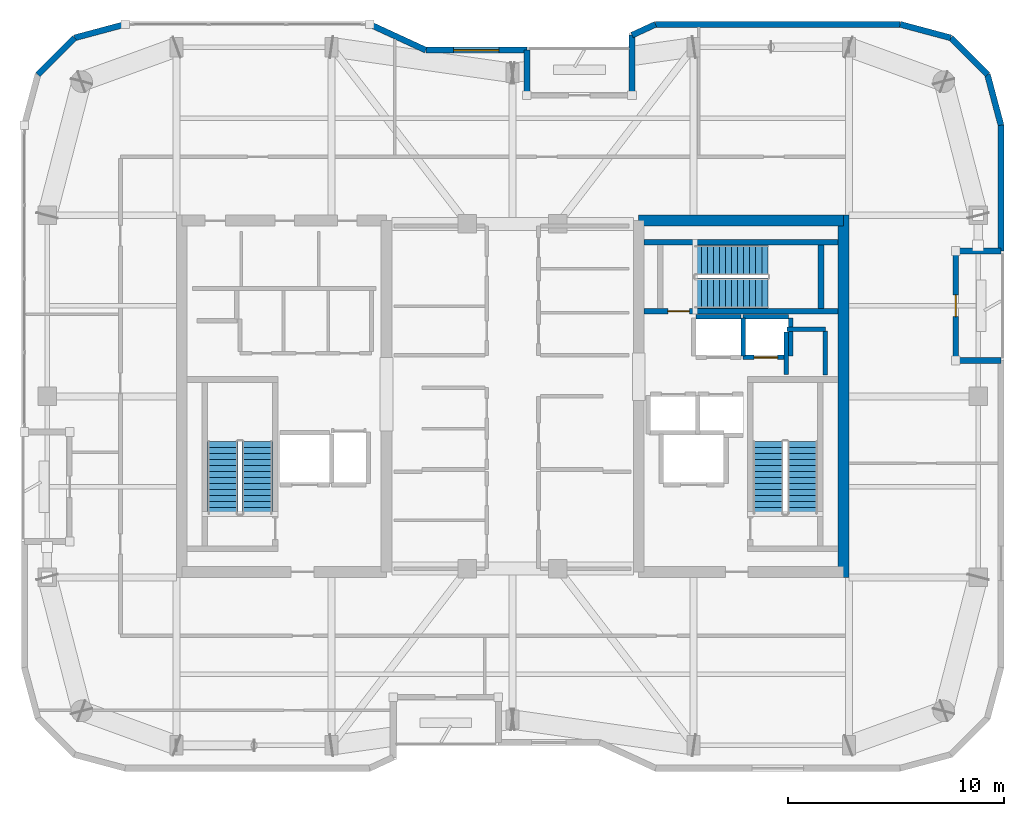
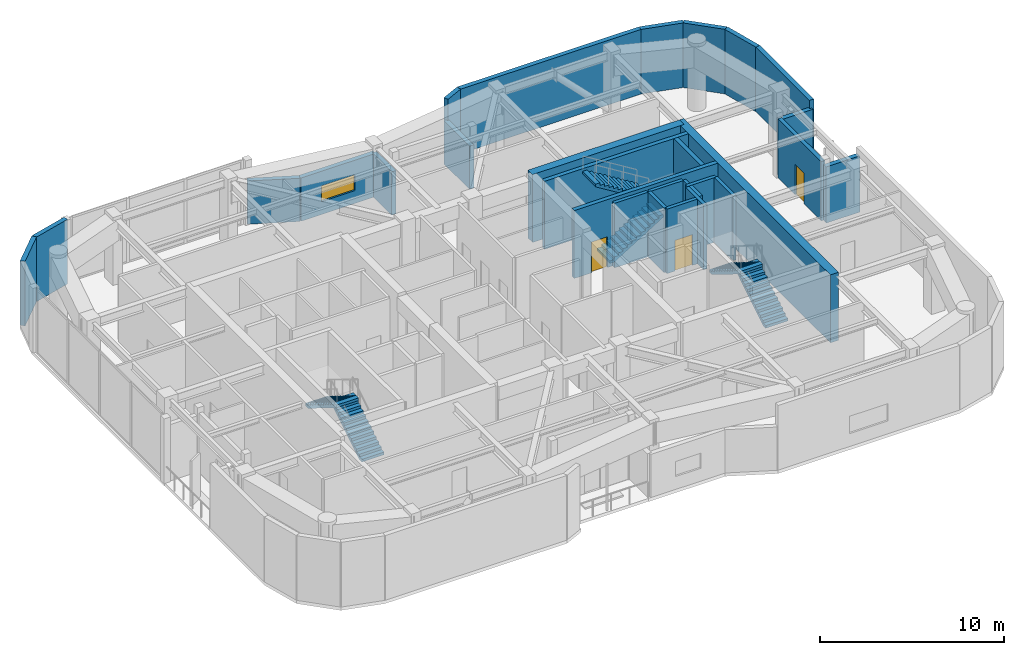
# One storey, part 13 of 15: 28 walls, 6 stair flights, 3 doors, 1 window, 4 openings, 3 elements without a shape of their own.
"""IFC4 building model written with IfcOpenShell, lengths in metres."""

from ifc_helpers import new_model, si_unit, direction, frame, frame_2d, origin, place, context, subcontext, project, spatial, polyline, rectangle, outline, extrude, material, layer, layer_set, type_object, element, fill, aggregate, save


model = new_model("IFC4")

# Units and contexts
model_context = context("Model", 3, precision=1e-05, world=origin(), true_north=direction((0.0, 1.0)))
body_context = subcontext(model_context, "Body", "Model", "MODEL_VIEW")
ifc_project = project(units=[si_unit("LENGTHUNIT", "METRE"), si_unit("AREAUNIT", "SQUARE_METRE"), si_unit("VOLUMEUNIT", "CUBIC_METRE"), si_unit("PLANEANGLEUNIT", "RADIAN"), si_unit("MASSUNIT", "GRAM", prefix="KILO")], contexts=[model_context])

# Site, building, storey
site_placement = place(None, origin())
site = spatial("IfcSite", under=ifc_project, at=site_placement, CompositionType="ELEMENT")
building_placement = place(site_placement, origin())
building = spatial("IfcBuilding", under=site, at=building_placement, Name="Kiyonajd Concourse Tower", CompositionType="ELEMENT")
storey_placement = place(building_placement, frame((0.0, 0.0, 342.0)))
storey = spatial("IfcBuildingStorey", under=building, at=storey_placement, Name="L86", CompositionType="ELEMENT", Elevation=342.0)

# Walls
ifc_material_1 = material(Name="Concrete C60/75", Category="concrete")
ifc_layer_1 = layer(ifc_material_1, 0.5)
ifc_layer_set_1 = layer_set([ifc_layer_1], Name="Concrete C60/75")
wall_type_1 = type_object("IfcWallType", Name="WL-CORE-500", PredefinedType="SHEAR", material=ifc_layer_set_1)
wall_1_placement = place(storey_placement, frame((63.35009765625, 27.60009765625, 0.0), z_axis=(0.0, 0.0, 1.0), x_axis=(0.0, 1.0, 0.0)))
element("IfcWall", 1, at=wall_1_placement, inside=storey, type_object=wall_type_1, Name="L86 East Core Outer Shear Wall", PredefinedType="SHEAR", context=body_context, shape_type="SweptSolid", body=[
    extrude(rectangle(XDim=16.7998046875, YDim=0.5, at=frame_2d((8.39990234375, 0.0))), origin(), (0.0, 0.0, 1.0), 4.5),
])
wall_2_placement = place(storey_placement, frame((53.85009765625, 44.14990234375, 0.0), z_axis=(0.0, 0.0, 1.0), x_axis=(1.0, 0.0, 0.0)))
element("IfcWall", 2, at=wall_2_placement, inside=storey, type_object=wall_type_1, Name="L86 East Core North Shear Wall", PredefinedType="SHEAR", context=body_context, shape_type="SweptSolid", body=[
    extrude(rectangle(XDim=9.5, YDim=0.5, at=frame_2d((4.75, 0.0))), origin(), (0.0, 0.0, 1.0), 4.5),
])
ifc_material_2 = material(Name="Precast concrete C50/60", Category="concrete")
ifc_layer_2 = layer(ifc_material_2, 0.280029296875)
ifc_layer_set_2 = layer_set([ifc_layer_2], Name="Precast concrete C50/60")
wall_type_2 = type_object("IfcWallType", Name="WL-EXT-280", PredefinedType="SOLIDWALL", material=ifc_layer_set_2)
wall_3_placement = place(storey_placement, frame((25.968505859375, 50.927490234375, 0.0), z_axis=(0.0, 0.0, 1.0), x_axis=(0.707106781187, 0.707106781187, 0.0)))
element("IfcWall", 3, at=wall_3_placement, inside=storey, type_object=wall_type_2, Name="L86 Exterior Concrete Frame Wall 07", PredefinedType="SOLIDWALL", context=body_context, shape_type="SweptSolid", body=[
    extrude(rectangle(XDim=2.409912109375, YDim=0.280029296875, at=frame_2d((1.205078125, 0.0))), origin(), (0.0, 0.0, 1.0), 4.280029296875),
])
wall_4_placement = place(storey_placement, frame((27.672607421875, 52.631591796875, 0.0), z_axis=(0.0, 0.0, 1.0), x_axis=(0.965937282298, 0.25877628691, 0.0)))
element("IfcWall", 4, at=wall_4_placement, inside=storey, type_object=wall_type_2, Name="L86 Exterior Concrete Frame Wall 08", PredefinedType="SOLIDWALL", context=body_context, shape_type="SweptSolid", body=[
    extrude(rectangle(XDim=2.428466796875, YDim=0.280029296875, at=frame_2d((1.21435546875, 0.0))), origin(), (0.0, 0.0, 1.0), 4.280029296875),
])
wall_5_placement = place(storey_placement, frame((41.369384765625, 53.260009765625, 0.0), z_axis=(0.0, 0.0, 1.0), x_axis=(0.907956889006, -0.419063584324, 0.0)))
element("IfcWall", 5, at=wall_5_placement, inside=storey, type_object=wall_type_2, Name="L86 Exterior Concrete Frame Wall 10", PredefinedType="SOLIDWALL", context=body_context, shape_type="SweptSolid", body=[
    extrude(rectangle(XDim=2.863525390625, YDim=0.280029296875, at=frame_2d((1.431640625, 0.0))), origin(), (0.0, 0.0, 1.0), 2.864990234375),
])

# Wall, opening, window
wall_6_placement = place(storey_placement, frame((43.96923828125, 52.06005859375, 0.0), z_axis=(0.0, 0.0, 1.0), x_axis=(1.0, 0.0, 0.0)))
wall_6 = element("IfcWall", 6, at=wall_6_placement, inside=storey, type_object=wall_type_2, Name="L86 Exterior Concrete Frame Wall 11", PredefinedType="SOLIDWALL", context=body_context, shape_type="SweptSolid", body=[
    extrude(rectangle(XDim=4.690673828125, YDim=0.280029296875, at=frame_2d((2.34521484375, 0.0))), origin(), (0.0, 0.0, 1.0), 2.864990234375),
])
opening_1_placement = place(wall_6_placement, frame((1.294921875, 0.0, 0.85009765625)))
opening_1 = element("IfcOpeningElement", 7, at=opening_1_placement, cuts=wall_6, Name="Opening WN5", PredefinedType="OPENING", context=body_context, shape_type="SweptSolid", body=[
    extrude(rectangle(XDim=2.10009765625, YDim=1.050048828125, at=frame_2d((1.050048828125, 0.52490234375))), frame((0.0, 0.14990234375, 0.0), z_axis=(0.0, -1.0, 0.0), x_axis=(1.0, 0.0, 0.0)), (0.0, 0.0, 1.0), 0.300048828125),
])
ifc_material_3 = material(Name="Double Low-E Insulated Glass", Category="glass")
window_type = type_object("IfcWindowType", Name="WN-VIS-2100x1050", PartitioningType="SINGLE_PANEL", PredefinedType="WINDOW", material=ifc_material_3)
window_placement = place(opening_1_placement, origin())
window = element("IfcWindow", 8, at=window_placement, inside=storey, type_object=window_type, Name="L86 Modular Facade Vision Window 11", OverallHeight=1.050048828125, OverallWidth=2.10009765625, PartitioningType="SINGLE_PANEL", PredefinedType="WINDOW", context=body_context, shape_type="SweptSolid", body=[
    extrude(rectangle(XDim=2.10009765625, YDim=1.050048828125, at=frame_2d((1.050048828125, 0.52490234375))), frame((0.0, 0.030029296875, 0.0), z_axis=(0.0, -1.0, 0.0), x_axis=(1.0, 0.0, 0.0)), (0.0, 0.0, 1.0), 0.06005859375),
])
fill(opening_1, window)

# Walls
wall_7_placement = place(storey_placement, frame((48.659912109375, 52.06005859375, 0.0), z_axis=(0.0, 0.0, 1.0), x_axis=(0.0, -1.0, 0.0)))
element("IfcWall", 9, at=wall_7_placement, inside=storey, type_object=wall_type_2, Name="L86 Exterior Concrete Frame Wall 12", PredefinedType="SOLIDWALL", context=body_context, shape_type="SweptSolid", body=[
    extrude(rectangle(XDim=2.10009765625, YDim=0.280029296875, at=frame_2d((1.050048828125, 0.0))), origin(), (0.0, 0.0, 1.0), 2.864990234375),
])
wall_8_placement = place(storey_placement, frame((53.5400390625, 49.9599609375, 0.0), z_axis=(0.0, 0.0, 1.0), x_axis=(0.0, 1.0, 0.0)))
element("IfcWall", 10, at=wall_8_placement, inside=storey, type_object=wall_type_2, Name="L86 Exterior Concrete Frame Wall 14", PredefinedType="SOLIDWALL", context=body_context, shape_type="SweptSolid", body=[
    extrude(rectangle(XDim=2.79638671875, YDim=0.280029296875, at=frame_2d((1.398193359375, 0.0))), origin(), (0.0, 0.0, 1.0), 2.864990234375),
])
wall_9_placement = place(storey_placement, frame((53.5400390625, 52.75634765625, 0.0), z_axis=(0.0, 0.0, 1.0), x_axis=(0.907893953211, 0.419199916176, 0.0)))
element("IfcWall", 11, at=wall_9_placement, inside=storey, type_object=wall_type_2, Name="L86 Exterior Concrete Frame Wall 15", PredefinedType="SOLIDWALL", context=body_context, shape_type="SweptSolid", body=[
    extrude(rectangle(XDim=1.201416015625, YDim=0.280029296875, at=frame_2d((0.6005859375, 0.0))), origin(), (0.0, 0.0, 1.0), 4.280029296875),
])
wall_10_placement = place(storey_placement, frame((54.630859375, 53.260009765625, 0.0), z_axis=(0.0, 0.0, 1.0), x_axis=(1.0, 0.0, 0.0)))
element("IfcWall", 12, at=wall_10_placement, inside=storey, type_object=wall_type_2, Name="L86 Exterior Concrete Frame Wall 16", PredefinedType="SOLIDWALL", context=body_context, shape_type="SweptSolid", body=[
    extrude(rectangle(XDim=11.350830078125, YDim=0.280029296875, at=frame_2d((5.67529296875, 0.0))), origin(), (0.0, 0.0, 1.0), 4.280029296875),
])
wall_11_placement = place(storey_placement, frame((65.981689453125, 53.260009765625, 0.0), z_axis=(0.0, 0.0, 1.0), x_axis=(0.965937282298, -0.25877628691, 0.0)))
element("IfcWall", 13, at=wall_11_placement, inside=storey, type_object=wall_type_2, Name="L86 Exterior Concrete Frame Wall 17", PredefinedType="SOLIDWALL", context=body_context, shape_type="SweptSolid", body=[
    extrude(rectangle(XDim=2.428466796875, YDim=0.280029296875, at=frame_2d((1.21435546875, 0.0))), origin(), (0.0, 0.0, 1.0), 4.280029296875),
])
wall_12_placement = place(storey_placement, frame((68.327392578125, 52.631591796875, 0.0), z_axis=(0.0, 0.0, 1.0), x_axis=(0.707106781187, -0.707106781187, 0.0)))
element("IfcWall", 14, at=wall_12_placement, inside=storey, type_object=wall_type_2, Name="L86 Exterior Concrete Frame Wall 18", PredefinedType="SOLIDWALL", context=body_context, shape_type="SweptSolid", body=[
    extrude(rectangle(XDim=2.409912109375, YDim=0.280029296875, at=frame_2d((1.205078125, 0.0))), origin(), (0.0, 0.0, 1.0), 4.280029296875),
])
wall_13_placement = place(storey_placement, frame((70.031494140625, 50.927490234375, 0.0), z_axis=(0.0, 0.0, 1.0), x_axis=(0.258751159445, -0.965944013639, 0.0)))
element("IfcWall", 15, at=wall_13_placement, inside=storey, type_object=wall_type_2, Name="L86 Exterior Concrete Frame Wall 19", PredefinedType="SOLIDWALL", context=body_context, shape_type="SweptSolid", body=[
    extrude(rectangle(XDim=2.4287109375, YDim=0.280029296875, at=frame_2d((1.21435546875, 0.0))), origin(), (0.0, 0.0, 1.0), 4.280029296875),
])
wall_14_placement = place(storey_placement, frame((70.659912109375, 48.58154296875, 0.0), z_axis=(0.0, 0.0, 1.0), x_axis=(0.0, -1.0, 0.0)))
element("IfcWall", 16, at=wall_14_placement, inside=storey, type_object=wall_type_2, Name="L86 Exterior Concrete Frame Wall 20", PredefinedType="SOLIDWALL", context=body_context, shape_type="SweptSolid", body=[
    extrude(rectangle(XDim=5.841552734375, YDim=0.280029296875, at=frame_2d((2.9208984375, 0.0))), origin(), (0.0, 0.0, 1.0), 4.280029296875),
])
for number, where, z_axis, x_axis, name in (
    (17, (70.659912109375, 42.739990234375, 0.0), (0.0, 0.0, 1.0), (-1.0, 0.0, 0.0), "L86 Exterior Concrete Frame Wall 21"),
    (18, (68.56005859375, 37.659912109375, 0.0), (0.0, 0.0, 1.0), (1.0, 0.0, 0.0), "L86 Exterior Concrete Frame Wall 23"),
):
    element("IfcWall", number, at=place(storey_placement, frame(where, z_axis=z_axis, x_axis=x_axis)), inside=storey, type_object=wall_type_2, Name=name, PredefinedType="SOLIDWALL", context=body_context, shape_type="SweptSolid", body=[
        extrude(rectangle(XDim=2.099853515625, YDim=0.280029296875, at=frame_2d((1.0498046875, 0.0))), origin(), (0.0, 0.0, 1.0), 3.72607421875),
    ])

# Wall, opening, door
ifc_layer_3 = layer(ifc_material_2, 0.239990234375)
ifc_layer_set_3 = layer_set([ifc_layer_3], Name="Precast concrete C50/60")
wall_type_3 = type_object("IfcWallType", Name="WL-LOG-240", PredefinedType="SOLIDWALL", material=ifc_layer_set_3)
wall_15_placement = place(storey_placement, frame((68.56005859375, 42.544921875, 0.0), z_axis=(0.0, 0.0, 1.0), x_axis=(0.0, -1.0, 0.0)))
wall_15 = element("IfcWall", 19, at=wall_15_placement, inside=storey, type_object=wall_type_3, Name="L86 Recessed Loggia Thermal Wall LOG-E", PredefinedType="SOLIDWALL", context=body_context, shape_type="SweptSolid", body=[
    extrude(rectangle(XDim=4.68994140625, YDim=0.239990234375, at=frame_2d((2.344970703125, 0.0))), origin(), (0.0, 0.0, 1.0), 3.910888671875),
])
opening_2_placement = place(wall_15_placement, frame((1.844970703125, 0.0, 0.0)))
opening_2 = element("IfcOpeningElement", 20, at=opening_2_placement, cuts=wall_15, Name="Opening DL1", PredefinedType="OPENING", context=body_context, shape_type="SweptSolid", body=[
    extrude(rectangle(XDim=1.0, YDim=2.02001953125, at=frame_2d((0.5, 1.010009765625))), frame((0.0, 0.1298828125, 0.0), z_axis=(0.0, -1.0, 0.0), x_axis=(1.0, 0.0, 0.0)), (0.0, 0.0, 1.0), 0.260009765625),
])
ifc_material_4 = material(Name="Thermally Broken Anodised Aluminium", Category="aluminium")
door_type_1 = type_object("IfcDoorType", Name="DR-LOG-1000", OperationType="NOTDEFINED", PredefinedType="DOOR", material=ifc_material_4)
door_1_placement = place(opening_2_placement, origin())
door_1 = element("IfcDoor", 21, at=door_1_placement, inside=storey, type_object=door_type_1, Name="L86 Engawa Loggia Access Door LOG-E", OperationType="SINGLE_SWING_LEFT", OverallHeight=2.02001953125, OverallWidth=1.0, PredefinedType="DOOR", context=body_context, shape_type="SweptSolid", body=[
    extrude(rectangle(XDim=1.0, YDim=2.02001953125, at=frame_2d((0.5, 1.010009765625))), frame((0.0, 0.02490234375, 0.0), z_axis=(0.0, -1.0, 0.0), x_axis=(1.0, 0.0, 0.0)), (0.0, 0.0, 1.0), 0.050048828125),
])
fill(opening_2, door_1)

# Walls
ifc_material_5 = material(Name="Gypsum Board on Cold-Formed Steel Stud", Category="steel")
ifc_layer_4 = layer(ifc_material_5, 0.2099609375)
ifc_layer_set_4 = layer_set([ifc_layer_4], Name="Gypsum Board on Cold-Formed Steel Stud")
wall_type_4 = type_object("IfcWallType", Name="WL-SHAFT-210", PredefinedType="PARTITIONING", material=ifc_layer_set_4)
wall_16_placement = place(storey_placement, frame((60.719970703125, 39.10009765625, 0.0), z_axis=(0.0, 0.0, 1.0), x_axis=(1.0, 0.0, 0.0)))
element("IfcWall", 22, at=wall_16_placement, inside=storey, type_object=wall_type_4, Name="L86 Shaft Enclosure Wall", PredefinedType="PARTITIONING", context=body_context, shape_type="SweptSolid", body=[
    extrude(rectangle(XDim=1.800048828125, YDim=0.2099609375, at=frame_2d((0.89990234375, 0.0))), origin(), (0.0, 0.0, 1.0), 4.280029296875),
])
wall_17_placement = place(storey_placement, frame((60.699951171875, 37.02001953125, 0.0), z_axis=(0.0, 0.0, 1.0), x_axis=(0.0, 1.0, 0.0)))
element("IfcWall", 23, at=wall_17_placement, inside=storey, type_object=wall_type_4, Name="L86 Shaft Enclosure Wall", PredefinedType="PARTITIONING", context=body_context, shape_type="SweptSolid", body=[
    extrude(rectangle(XDim=1.9599609375, YDim=0.2099609375, at=frame_2d((0.97998046875, 0.0))), origin(), (0.0, 0.0, 1.0), 4.280029296875),
])
wall_18_placement = place(storey_placement, frame((62.5, 36.97998046875, 0.0), z_axis=(0.0, 0.0, 1.0), x_axis=(0.0, 1.0, 0.0)))
element("IfcWall", 24, at=wall_18_placement, inside=storey, type_object=wall_type_4, Name="L86 Shaft Enclosure Wall", PredefinedType="PARTITIONING", context=body_context, shape_type="SweptSolid", body=[
    extrude(rectangle(XDim=2.0400390625, YDim=0.2099609375, at=frame_2d((1.02001953125, 0.0))), origin(), (0.0, 0.0, 1.0), 4.280029296875),
])
wall_19_placement = place(storey_placement, frame((56.5, 39.699951171875, 0.0), z_axis=(0.0, 0.0, 1.0), x_axis=(1.0, 0.0, 0.0)))
element("IfcWall", 25, at=wall_19_placement, inside=storey, type_object=wall_type_4, Name="L86 Shaft Enclosure Wall", PredefinedType="PARTITIONING", context=body_context, shape_type="SweptSolid", body=[
    extrude(rectangle(XDim=2.10009765625, YDim=0.2099609375, at=frame_2d((1.050048828125, 0.0))), origin(), (0.0, 0.0, 1.0), 4.280029296875),
])
wall_20_placement = place(storey_placement, frame((58.699951171875, 37.860107421875, 0.0), z_axis=(0.0, 0.0, 1.0), x_axis=(0.0, 1.0, 0.0)))
element("IfcWall", 26, at=wall_20_placement, inside=storey, type_object=wall_type_4, Name="L86 Shaft Enclosure Wall", PredefinedType="PARTITIONING", context=body_context, shape_type="SweptSolid", body=[
    extrude(rectangle(XDim=1.77978515625, YDim=0.2099609375, at=frame_2d((0.889892578125, 0.0))), origin(), (0.0, 0.0, 1.0), 4.280029296875),
])

# Wall, opening, door
wall_21_placement = place(storey_placement, frame((58.699951171875, 37.800048828125, 0.0), z_axis=(0.0, 0.0, 1.0), x_axis=(1.0, 0.0, 0.0)))
wall_21 = element("IfcWall", 27, at=wall_21_placement, inside=storey, type_object=wall_type_4, Name="L86 Shaft Enclosure Wall", PredefinedType="PARTITIONING", context=body_context, shape_type="SweptSolid", body=[
    extrude(rectangle(XDim=2.10009765625, YDim=0.2099609375, at=frame_2d((1.050048828125, 0.0))), origin(), (0.0, 0.0, 1.0), 4.280029296875),
])
opening_3_placement = place(wall_21_placement, frame((0.5, 0.0, 0.0)))
opening_3 = element("IfcOpeningElement", 28, at=opening_3_placement, cuts=wall_21, Name="Opening LD1", PredefinedType="OPENING", context=body_context, shape_type="SweptSolid", body=[
    extrude(rectangle(XDim=1.10009765625, YDim=2.0400390625, at=frame_2d((0.550048828125, 1.02001953125))), frame((0.0, 0.114990234375, 0.0), z_axis=(0.0, -1.0, 0.0), x_axis=(1.0, 0.0, 0.0)), (0.0, 0.0, 1.0), 0.22998046875),
])
ifc_material_6 = material(Name="Brushed Stainless Steel Cab Assembly", Category="steel")
door_type_2 = type_object("IfcDoorType", Name="DR-LD-1100", OperationType="DOUBLE_DOOR_SLIDING", PredefinedType="DOOR", material=ifc_material_6)
door_2_placement = place(opening_3_placement, origin())
door_2 = element("IfcDoor", 29, at=door_2_placement, inside=storey, type_object=door_type_2, Name="L86 Lift PL-H4 Sliding Landing Door", OperationType="DOUBLE_DOOR_SLIDING", OverallHeight=2.0400390625, OverallWidth=1.10009765625, PredefinedType="DOOR", context=body_context, shape_type="SweptSolid", body=[
    extrude(rectangle(XDim=1.10009765625, YDim=2.0400390625, at=frame_2d((0.550048828125, 1.02001953125))), frame((0.0, 0.02490234375, 0.0), z_axis=(0.0, -1.0, 0.0), x_axis=(1.0, 0.0, 0.0)), (0.0, 0.0, 1.0), 0.050048828125),
])
fill(opening_3, door_2)

# Walls
wall_22_placement = place(storey_placement, frame((58.699951171875, 39.699951171875, 0.0), z_axis=(0.0, 0.0, 1.0), x_axis=(1.0, 0.0, 0.0)))
element("IfcWall", 30, at=wall_22_placement, inside=storey, type_object=wall_type_4, Name="L86 Shaft Enclosure Wall", PredefinedType="PARTITIONING", context=body_context, shape_type="SweptSolid", body=[
    extrude(rectangle(XDim=2.10009765625, YDim=0.2099609375, at=frame_2d((1.050048828125, 0.0))), origin(), (0.0, 0.0, 1.0), 4.280029296875),
])
wall_23_placement = place(storey_placement, frame((60.89990234375, 37.860107421875, 0.0), z_axis=(0.0, 0.0, 1.0), x_axis=(0.0, 1.0, 0.0)))
element("IfcWall", 31, at=wall_23_placement, inside=storey, type_object=wall_type_4, Name="L86 Shaft Enclosure Wall", PredefinedType="PARTITIONING", context=body_context, shape_type="SweptSolid", body=[
    extrude(rectangle(XDim=1.77978515625, YDim=0.2099609375, at=frame_2d((0.889892578125, 0.0))), origin(), (0.0, 0.0, 1.0), 4.280029296875),
])

# Wall, opening, door
ifc_material_7 = material(Name="Concrete C50/60", Category="concrete")
ifc_layer_5 = layer(ifc_material_7, 0.260009765625)
ifc_layer_set_5 = layer_set([ifc_layer_5], Name="Concrete C50/60")
wall_type_5 = type_object("IfcWallType", Name="WL-STAIR-260", PredefinedType="SHEAR", material=ifc_layer_set_5)
wall_24_placement = place(storey_placement, frame((54.10009765625, 39.949951171875, 0.0), z_axis=(0.0, 0.0, 1.0), x_axis=(1.0, 0.0, 0.0)))
wall_24 = element("IfcWall", 32, at=wall_24_placement, inside=storey, type_object=wall_type_5, Name="L86 Stair ST3 Structural South Wall", PredefinedType="SHEAR", context=body_context, shape_type="SweptSolid", body=[
    extrude(rectangle(XDim=9.0, YDim=0.260009765625, at=frame_2d((4.5, 0.0))), origin(), (0.0, 0.0, 1.0), 4.5),
])
opening_4_placement = place(wall_24_placement, frame((1.10009765625, 0.0, 0.0)))
opening_4 = element("IfcOpeningElement", 33, at=opening_4_placement, cuts=wall_24, Name="Opening DF1", PredefinedType="OPENING", context=body_context, shape_type="SweptSolid", body=[
    extrude(rectangle(XDim=1.0, YDim=2.0400390625, at=frame_2d((0.5, 1.02001953125))), frame((0.0, 0.139892578125, 0.0), z_axis=(0.0, -1.0, 0.0), x_axis=(1.0, 0.0, 0.0)), (0.0, 0.0, 1.0), 0.280029296875),
])
door_type_3 = type_object("IfcDoorType", Name="DR-FD90-1000", OperationType="NOTDEFINED", PredefinedType="DOOR", material=ifc_material_6)
door_3_placement = place(opening_4_placement, origin())
door_3 = element("IfcDoor", 34, at=door_3_placement, inside=storey, type_object=door_type_3, Name="L86 Stair ST3 Enclosure Door", OperationType="SINGLE_SWING_LEFT", OverallHeight=2.0400390625, OverallWidth=1.0, PredefinedType="DOOR", context=body_context, shape_type="SweptSolid", body=[
    extrude(rectangle(XDim=1.0, YDim=2.0400390625, at=frame_2d((0.5, 1.02001953125))), frame((0.0, 0.02490234375, 0.0), z_axis=(0.0, -1.0, 0.0), x_axis=(1.0, 0.0, 0.0)), (0.0, 0.0, 1.0), 0.050048828125),
])
fill(opening_4, door_3)

# Walls
wall_25_placement = place(storey_placement, frame((54.10009765625, 43.14990234375, 0.0), z_axis=(0.0, 0.0, 1.0), x_axis=(1.0, 0.0, 0.0)))
element("IfcWall", 35, at=wall_25_placement, inside=storey, type_object=wall_type_5, Name="L86 Stair ST3 Structural North Wall", PredefinedType="SHEAR", context=body_context, shape_type="SweptSolid", body=[
    extrude(rectangle(XDim=9.0, YDim=0.260009765625, at=frame_2d((4.5, 0.0))), origin(), (0.0, 0.0, 1.0), 4.5),
])
wall_26_placement = place(storey_placement, frame((62.31005859375, 40.080078125, 0.0), z_axis=(0.0, 0.0, 1.0), x_axis=(0.0, 1.0, 0.0)))
element("IfcWall", 36, at=wall_26_placement, inside=storey, type_object=wall_type_5, Name="L86 Stair ST3 Structural East Wall", PredefinedType="SHEAR", context=body_context, shape_type="SweptSolid", body=[
    extrude(rectangle(XDim=2.93994140625, YDim=0.260009765625, at=frame_2d((1.469970703125, 0.0))), origin(), (0.0, 0.0, 1.0), 4.5),
])

# Stair, stair flights
ifc_material_8 = material(Name="Concrete C40/50", Category="concrete")
stair_type = type_object("IfcStairType", Name="ST-DLG-26R", PredefinedType="HALF_TURN_STAIR", material=ifc_material_8)
stair_1_placement = place(storey_placement, origin())
stair_1 = element("IfcStair", 37, at=stair_1_placement, inside=storey, type_object=stair_type, Name="L86 Protected Exit Stair ST1", PredefinedType="HALF_TURN_STAIR")
stair_flight_type = type_object("IfcStairFlightType", Name="SF-STR-26R", PredefinedType="STRAIGHT", material=ifc_material_8)
stair_flight_1_placement = place(storey_placement, frame((36.14990234375, 30.550048828125, 0.0), z_axis=(0.0, 0.0, 1.0), x_axis=(0.0, 1.0, 0.0)))
stair_flight_1 = element("IfcStairFlight", 38, at=stair_flight_1_placement, type_object=stair_flight_type, Name="ST1 flight 1", NumberOfRisers=13, NumberOfTreads=12, PredefinedType="STRAIGHT", RiserHeight=0.173076923, TreadLength=0.28, context=body_context, shape_type="SweptSolid", body=[
    extrude(outline(polyline([(0.0, 0.0), (0.0, 0.173095703125), (0.280029296875, 0.173095703125), (0.280029296875, 0.34619140625), (0.56005859375, 0.34619140625), (0.56005859375, 0.519287109375), (0.840087890625, 0.519287109375), (0.840087890625, 0.6923828125), (1.1201171875, 0.6923828125), (1.1201171875, 0.865478515625), (1.39990234375, 0.865478515625), (1.39990234375, 1.03857421875), (1.679931640625, 1.03857421875), (1.679931640625, 1.21142578125), (1.9599609375, 1.21142578125), (1.9599609375, 1.384521484375), (2.239990234375, 1.384521484375), (2.239990234375, 1.5576171875), (2.52001953125, 1.5576171875), (2.52001953125, 1.730712890625), (2.800048828125, 1.730712890625), (2.800048828125, 1.90380859375), (3.080078125, 1.90380859375), (3.080078125, 2.076904296875), (3.360107421875, 2.076904296875), (3.360107421875, 2.25), (3.360107421875, 1.900634765625), (0.28515625, 0.0), (0.0, 0.0)])), frame((0.0, 0.699951171875, 0.0), z_axis=(0.0, -1.0, 0.0), x_axis=(1.0, 0.0, 0.0)), (0.0, 0.0, 1.0), 1.39990234375),
])
stair_flight_2_placement = place(storey_placement, frame((34.550048828125, 33.909912109375, 2.25), z_axis=(0.0, 0.0, 1.0), x_axis=(0.0, -1.0, 0.0)))
stair_flight_2 = element("IfcStairFlight", 39, at=stair_flight_2_placement, type_object=stair_flight_type, Name="ST1 flight 2", NumberOfRisers=13, NumberOfTreads=12, PredefinedType="STRAIGHT", RiserHeight=0.173076923, TreadLength=0.28, context=body_context, shape_type="SweptSolid", body=[
    extrude(outline(polyline([(0.0, 0.0), (0.0, 0.173095703125), (0.280029296875, 0.173095703125), (0.280029296875, 0.34619140625), (0.56005859375, 0.34619140625), (0.56005859375, 0.519287109375), (0.840087890625, 0.519287109375), (0.840087890625, 0.6923828125), (1.1201171875, 0.6923828125), (1.1201171875, 0.865478515625), (1.39990234375, 0.865478515625), (1.39990234375, 1.03857421875), (1.679931640625, 1.03857421875), (1.679931640625, 1.21142578125), (1.9599609375, 1.21142578125), (1.9599609375, 1.384521484375), (2.239990234375, 1.384521484375), (2.239990234375, 1.5576171875), (2.52001953125, 1.5576171875), (2.52001953125, 1.730712890625), (2.800048828125, 1.730712890625), (2.800048828125, 1.90380859375), (3.080078125, 1.90380859375), (3.080078125, 2.076904296875), (3.360107421875, 2.076904296875), (3.360107421875, 2.25), (3.360107421875, 1.900634765625), (0.28515625, 0.0), (0.0, 0.0)])), frame((0.0, 0.699951171875, 0.0), z_axis=(0.0, -1.0, 0.0), x_axis=(1.0, 0.0, 0.0)), (0.0, 0.0, 1.0), 1.39990234375),
])
aggregate(stair_1, [stair_flight_1, stair_flight_2])

stair_2_placement = place(storey_placement, origin())
stair_2 = element("IfcStair", 40, at=stair_2_placement, inside=storey, type_object=stair_type, Name="L86 Protected Exit Stair ST2", PredefinedType="HALF_TURN_STAIR")
stair_flight_3_placement = place(storey_placement, frame((61.449951171875, 30.550048828125, 0.0), z_axis=(0.0, 0.0, 1.0), x_axis=(0.0, 1.0, 0.0)))
stair_flight_3 = element("IfcStairFlight", 41, at=stair_flight_3_placement, type_object=stair_flight_type, Name="ST2 flight 1", NumberOfRisers=13, NumberOfTreads=12, PredefinedType="STRAIGHT", RiserHeight=0.173076923, TreadLength=0.28, context=body_context, shape_type="SweptSolid", body=[
    extrude(outline(polyline([(0.0, 0.0), (0.0, 0.173095703125), (0.280029296875, 0.173095703125), (0.280029296875, 0.34619140625), (0.56005859375, 0.34619140625), (0.56005859375, 0.519287109375), (0.840087890625, 0.519287109375), (0.840087890625, 0.6923828125), (1.1201171875, 0.6923828125), (1.1201171875, 0.865478515625), (1.39990234375, 0.865478515625), (1.39990234375, 1.03857421875), (1.679931640625, 1.03857421875), (1.679931640625, 1.21142578125), (1.9599609375, 1.21142578125), (1.9599609375, 1.384521484375), (2.239990234375, 1.384521484375), (2.239990234375, 1.5576171875), (2.52001953125, 1.5576171875), (2.52001953125, 1.730712890625), (2.800048828125, 1.730712890625), (2.800048828125, 1.90380859375), (3.080078125, 1.90380859375), (3.080078125, 2.076904296875), (3.360107421875, 2.076904296875), (3.360107421875, 2.25), (3.360107421875, 1.900634765625), (0.28515625, 0.0), (0.0, 0.0)])), frame((0.0, 0.699951171875, 0.0), z_axis=(0.0, -1.0, 0.0), x_axis=(1.0, 0.0, 0.0)), (0.0, 0.0, 1.0), 1.39990234375),
])
stair_flight_4_placement = place(storey_placement, frame((59.85009765625, 33.909912109375, 2.25), z_axis=(0.0, 0.0, 1.0), x_axis=(0.0, -1.0, 0.0)))
stair_flight_4 = element("IfcStairFlight", 42, at=stair_flight_4_placement, type_object=stair_flight_type, Name="ST2 flight 2", NumberOfRisers=13, NumberOfTreads=12, PredefinedType="STRAIGHT", RiserHeight=0.173076923, TreadLength=0.28, context=body_context, shape_type="SweptSolid", body=[
    extrude(outline(polyline([(0.0, 0.0), (0.0, 0.173095703125), (0.280029296875, 0.173095703125), (0.280029296875, 0.34619140625), (0.56005859375, 0.34619140625), (0.56005859375, 0.519287109375), (0.840087890625, 0.519287109375), (0.840087890625, 0.6923828125), (1.1201171875, 0.6923828125), (1.1201171875, 0.865478515625), (1.39990234375, 0.865478515625), (1.39990234375, 1.03857421875), (1.679931640625, 1.03857421875), (1.679931640625, 1.21142578125), (1.9599609375, 1.21142578125), (1.9599609375, 1.384521484375), (2.239990234375, 1.384521484375), (2.239990234375, 1.5576171875), (2.52001953125, 1.5576171875), (2.52001953125, 1.730712890625), (2.800048828125, 1.730712890625), (2.800048828125, 1.90380859375), (3.080078125, 1.90380859375), (3.080078125, 2.076904296875), (3.360107421875, 2.076904296875), (3.360107421875, 2.25), (3.360107421875, 1.900634765625), (0.28515625, 0.0), (0.0, 0.0)])), frame((0.0, 0.699951171875, 0.0), z_axis=(0.0, -1.0, 0.0), x_axis=(1.0, 0.0, 0.0)), (0.0, 0.0, 1.0), 1.39990234375),
])
aggregate(stair_2, [stair_flight_3, stair_flight_4])

stair_3_placement = place(storey_placement, origin())
stair_3 = element("IfcStair", 43, at=stair_3_placement, inside=storey, type_object=stair_type, Name="L86 Protected Exit Stair ST3", PredefinedType="HALF_TURN_STAIR")
stair_flight_5_placement = place(storey_placement, frame((56.47998046875, 40.780029296875, 0.0), z_axis=(0.0, 0.0, 1.0), x_axis=(1.0, 0.0, 0.0)))
stair_flight_5 = element("IfcStairFlight", 44, at=stair_flight_5_placement, type_object=stair_flight_type, Name="ST3 flight 1", NumberOfRisers=13, NumberOfTreads=12, PredefinedType="STRAIGHT", RiserHeight=0.173076923, TreadLength=0.28, context=body_context, shape_type="SweptSolid", body=[
    extrude(outline(polyline([(0.0, 0.0), (0.0, 0.173095703125), (0.280029296875, 0.173095703125), (0.280029296875, 0.34619140625), (0.56005859375, 0.34619140625), (0.56005859375, 0.519287109375), (0.840087890625, 0.519287109375), (0.840087890625, 0.6923828125), (1.1201171875, 0.6923828125), (1.1201171875, 0.865478515625), (1.39990234375, 0.865478515625), (1.39990234375, 1.03857421875), (1.679931640625, 1.03857421875), (1.679931640625, 1.21142578125), (1.9599609375, 1.21142578125), (1.9599609375, 1.384521484375), (2.239990234375, 1.384521484375), (2.239990234375, 1.5576171875), (2.52001953125, 1.5576171875), (2.52001953125, 1.730712890625), (2.800048828125, 1.730712890625), (2.800048828125, 1.90380859375), (3.080078125, 1.90380859375), (3.080078125, 2.076904296875), (3.360107421875, 2.076904296875), (3.360107421875, 2.25), (3.360107421875, 1.900634765625), (0.28515625, 0.0), (0.0, 0.0)])), frame((0.0, 0.699951171875, 0.0), z_axis=(0.0, -1.0, 0.0), x_axis=(1.0, 0.0, 0.0)), (0.0, 0.0, 1.0), 1.39990234375),
])
stair_flight_6_placement = place(storey_placement, frame((59.840087890625, 42.320068359375, 2.25), z_axis=(0.0, 0.0, 1.0), x_axis=(-1.0, 0.0, 0.0)))
stair_flight_6 = element("IfcStairFlight", 45, at=stair_flight_6_placement, type_object=stair_flight_type, Name="ST3 flight 2", NumberOfRisers=13, NumberOfTreads=12, PredefinedType="STRAIGHT", RiserHeight=0.173076923, TreadLength=0.28, context=body_context, shape_type="SweptSolid", body=[
    extrude(outline(polyline([(0.0, 0.0), (0.0, 0.173095703125), (0.280029296875, 0.173095703125), (0.280029296875, 0.34619140625), (0.56005859375, 0.34619140625), (0.56005859375, 0.519287109375), (0.840087890625, 0.519287109375), (0.840087890625, 0.6923828125), (1.1201171875, 0.6923828125), (1.1201171875, 0.865478515625), (1.39990234375, 0.865478515625), (1.39990234375, 1.03857421875), (1.679931640625, 1.03857421875), (1.679931640625, 1.21142578125), (1.9599609375, 1.21142578125), (1.9599609375, 1.384521484375), (2.239990234375, 1.384521484375), (2.239990234375, 1.5576171875), (2.52001953125, 1.5576171875), (2.52001953125, 1.730712890625), (2.800048828125, 1.730712890625), (2.800048828125, 1.90380859375), (3.080078125, 1.90380859375), (3.080078125, 2.076904296875), (3.360107421875, 2.076904296875), (3.360107421875, 2.25), (3.360107421875, 1.900634765625), (0.28515625, 0.0), (0.0, 0.0)])), frame((0.0, 0.699951171875, 0.0), z_axis=(0.0, -1.0, 0.0), x_axis=(1.0, 0.0, 0.0)), (0.0, 0.0, 1.0), 1.39990234375),
])
aggregate(stair_3, [stair_flight_5, stair_flight_6])

save(model, "model.ifc")
